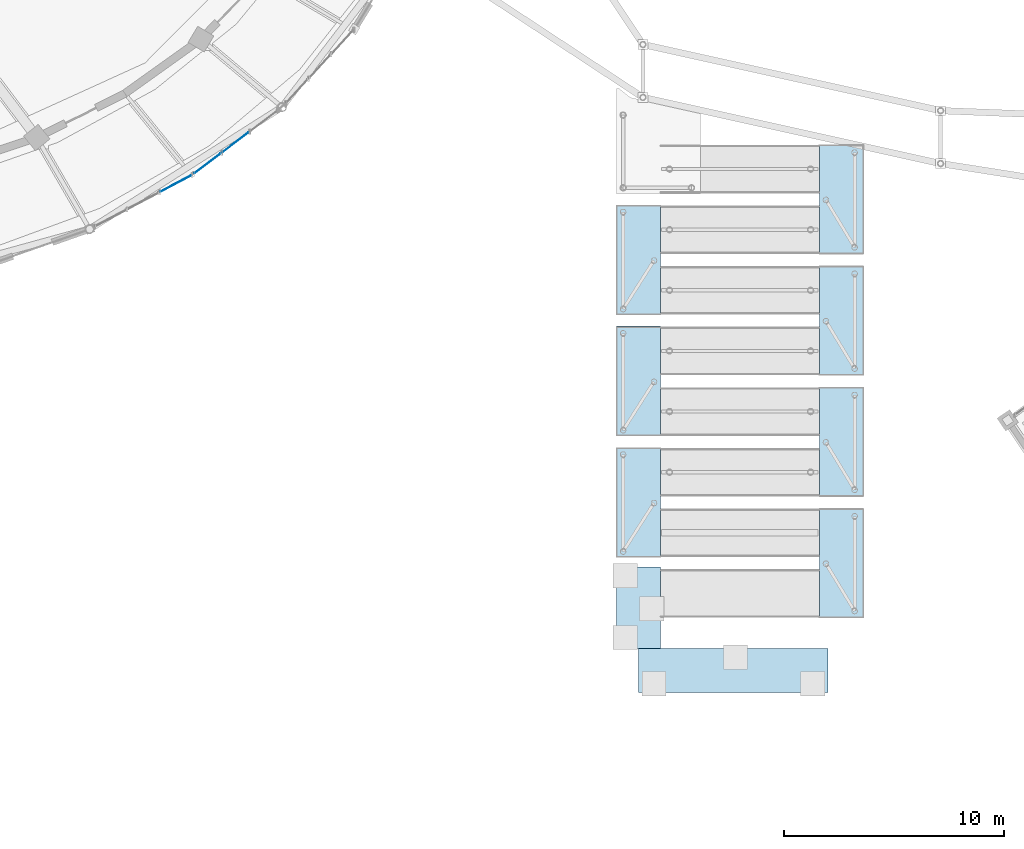
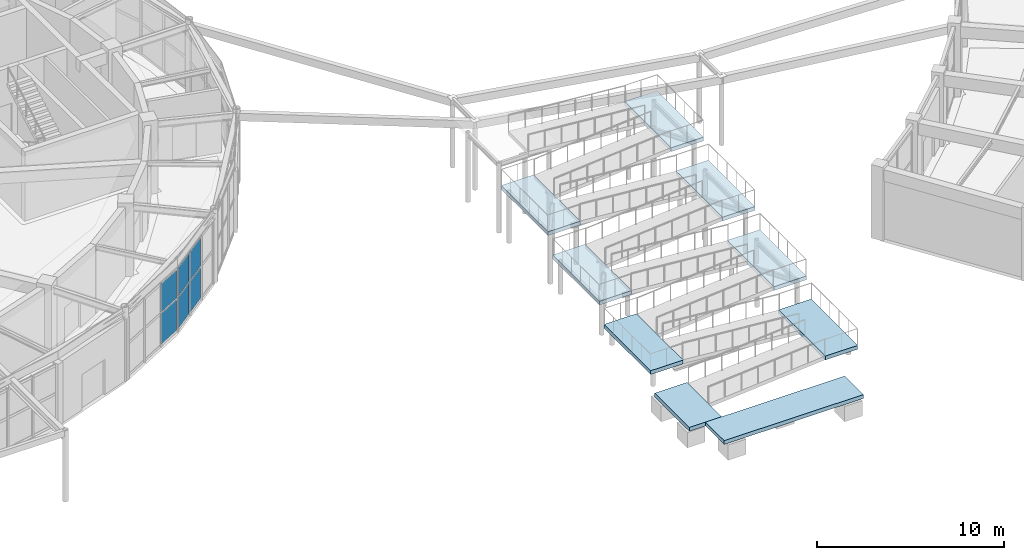
# One storey, part 79 of 108: 9 slabs, 6 plates, 3 elements without a shape of their own.
"""IFC4 building model written with IfcOpenShell, lengths in metres."""

from ifc_helpers import new_model, si_unit, direction, frame, origin, origin_2d, place, context, subcontext, project, spatial, polyline, rectangle, outline, extrude, material, layer, layer_set, type_object, element, aggregate, save


model = new_model("IFC4")

# Units and contexts
model_context = context("Model", 3, precision=1e-05, world=origin(), true_north=direction((0.0, 1.0)))
body_context = subcontext(model_context, "Body", "Model", "MODEL_VIEW")
ifc_project = project(units=[si_unit("LENGTHUNIT", "METRE"), si_unit("AREAUNIT", "SQUARE_METRE"), si_unit("VOLUMEUNIT", "CUBIC_METRE"), si_unit("PLANEANGLEUNIT", "RADIAN"), si_unit("MASSUNIT", "GRAM", prefix="KILO")], contexts=[model_context])

# Site, building, storey
site_placement = place(None, origin())
site = spatial("IfcSite", under=ifc_project, at=site_placement, CompositionType="ELEMENT")
building_placement = place(site_placement, origin())
building = spatial("IfcBuilding", under=site, at=building_placement, Name="Tarnveldt Headland Concert Hall", CompositionType="ELEMENT")
storey_placement = place(building_placement, origin())
storey = spatial("IfcBuildingStorey", under=building, at=storey_placement, Name="L00", CompositionType="ELEMENT", Elevation=0.0)

# Curtain wall, plates
ifc_material_1 = material(Name="Marine-anodised aluminium EN AW-6063-T6", Category="aluminium")
curtain_wall_type = type_object("IfcCurtainWallType", Name="CW-F1", PredefinedType="NOTDEFINED", material=ifc_material_1)
curtain_wall_1_placement = place(storey_placement, origin())
curtain_wall_1 = element("IfcCurtainWall", 1, at=curtain_wall_1_placement, inside=storey, type_object=curtain_wall_type, Name="Curtain wall CW-L00-022", PredefinedType="NOTDEFINED")
ifc_material_2 = material(Name="Acoustic laminated low-iron double glazing", Category="glass")
ifc_layer_1 = layer(ifc_material_2, 0.031982421875, Name="Acoustic laminated low-iron double glazing", Category="glass")
ifc_layer_set_1 = layer_set([ifc_layer_1], Name="Acoustic laminated low-iron double glazing")
plate_type = type_object("IfcPlateType", Name="PN-F1", PredefinedType="CURTAIN_PANEL", material=ifc_layer_set_1)
plate_1_placement = place(storey_placement, frame((103.80908203125, 35.09228515625, 0.097412109375), z_axis=(0.0, 0.0, 1.0), x_axis=(0.883781963382, 0.467898964735, 0.0)))
plate_1 = element("IfcPlate", 2, at=plate_1_placement, type_object=plate_type, Name="Glazed panel CW-L00-022-3-1", PredefinedType="CURTAIN_PANEL", context=body_context, shape_type="SweptSolid", body=[
    extrude(rectangle(XDim=1.552978515625, YDim=0.031982421875, at=origin_2d()), origin(), (0.0, 0.0, 1.0), 2.0078125),
])
plate_2_placement = place(storey_placement, frame((103.80908203125, 35.09228515625, 2.2001953125), z_axis=(0.0, 0.0, 1.0), x_axis=(0.883781963382, 0.467898964735, 0.0)))
plate_2 = element("IfcPlate", 3, at=plate_2_placement, type_object=plate_type, Name="Glazed panel CW-L00-022-3-2", PredefinedType="CURTAIN_PANEL", context=body_context, shape_type="SweptSolid", body=[
    extrude(rectangle(XDim=1.552978515625, YDim=0.031982421875, at=origin_2d()), origin(), (0.0, 0.0, 1.0), 1.84228515625),
])
aggregate(curtain_wall_1, [plate_1, plate_2])

curtain_wall_2_placement = place(storey_placement, origin())
curtain_wall_2 = element("IfcCurtainWall", 4, at=curtain_wall_2_placement, inside=storey, type_object=curtain_wall_type, Name="Curtain wall CW-L00-023", PredefinedType="NOTDEFINED")
plate_3_placement = place(storey_placement, frame((105.25146484375, 36.007080078125, 0.097412109375), z_axis=(0.0, 0.0, 1.0), x_axis=(0.797657618631, 0.603110539984, 0.0)))
plate_3 = element("IfcPlate", 5, at=plate_3_placement, type_object=plate_type, Name="Glazed panel CW-L00-023-1-1", PredefinedType="CURTAIN_PANEL", context=body_context, shape_type="SweptSolid", body=[
    extrude(rectangle(XDim=1.47607421875, YDim=0.031982421875, at=origin_2d()), origin(), (0.0, 0.0, 1.0), 2.0078125),
])
plate_4_placement = place(storey_placement, frame((105.25146484375, 36.007080078125, 2.2001953125), z_axis=(0.0, 0.0, 1.0), x_axis=(0.797657618631, 0.603110539984, 0.0)))
plate_4 = element("IfcPlate", 6, at=plate_4_placement, type_object=plate_type, Name="Glazed panel CW-L00-023-1-2", PredefinedType="CURTAIN_PANEL", context=body_context, shape_type="SweptSolid", body=[
    extrude(rectangle(XDim=1.47607421875, YDim=0.031982421875, at=origin_2d()), origin(), (0.0, 0.0, 1.0), 1.84228515625),
])
plate_5_placement = place(storey_placement, frame((106.523681640625, 36.96923828125, 0.097412109375), z_axis=(0.0, 0.0, 1.0), x_axis=(0.797657618631, 0.603110539984, 0.0)))
plate_5 = element("IfcPlate", 7, at=plate_5_placement, type_object=plate_type, Name="Glazed panel CW-L00-023-2-1", PredefinedType="CURTAIN_PANEL", context=body_context, shape_type="SweptSolid", body=[
    extrude(rectangle(XDim=1.47607421875, YDim=0.031982421875, at=origin_2d()), origin(), (0.0, 0.0, 1.0), 2.0078125),
])
plate_6_placement = place(storey_placement, frame((106.523681640625, 36.96923828125, 2.2001953125), z_axis=(0.0, 0.0, 1.0), x_axis=(0.797657618631, 0.603110539984, 0.0)))
plate_6 = element("IfcPlate", 8, at=plate_6_placement, type_object=plate_type, Name="Glazed panel CW-L00-023-2-2", PredefinedType="CURTAIN_PANEL", context=body_context, shape_type="SweptSolid", body=[
    extrude(rectangle(XDim=1.47607421875, YDim=0.031982421875, at=origin_2d()), origin(), (0.0, 0.0, 1.0), 1.84228515625),
])
aggregate(curtain_wall_2, [plate_3, plate_4, plate_5, plate_6])

# Ramp, slabs
ifc_material_3 = material(Name="Concrete C40/50", Category="concrete")
ramp_type = type_object("IfcRampType", Name="RM-BRG240", PredefinedType="HALF_TURN_RAMP", material=ifc_material_3)
ramp_placement = place(storey_placement, origin())
ramp = element("IfcRamp", 9, at=ramp_placement, inside=storey, type_object=ramp_type, Name="Forecourt 1:12 accessible promenade ramp", PredefinedType="HALF_TURN_RAMP")
ifc_layer_2 = layer(ifc_material_3, 0.25, Name="Concrete C40/50", Category="concrete")
ifc_layer_set_2 = layer_set([ifc_layer_2], Name="Concrete C40/50")
slab_type = type_object("IfcSlabType", Name="SL-LND250", PredefinedType="LANDING", material=ifc_layer_set_2)
slab_1_placement = place(storey_placement, frame((0.0, 0.0, -0.25)))
slab_1 = element("IfcSlab", 10, at=slab_1_placement, type_object=slab_type, Name="Forecourt ramp ground arrival landing", PredefinedType="LANDING", context=body_context, shape_type="SweptSolid", body=[
    extrude(outline(polyline([(124.800048828125, 12.0), (133.39990234375, 12.0), (133.39990234375, 14.0), (124.800048828125, 14.0), (124.800048828125, 12.0)])), origin(), (0.0, 0.0, 1.0), 0.25),
])
slab_2_placement = place(storey_placement, frame((0.0, 0.0, -0.25)))
slab_2 = element("IfcSlab", 11, at=slab_2_placement, type_object=slab_type, Name="Forecourt ramp start landing", PredefinedType="LANDING", context=body_context, shape_type="SweptSolid", body=[
    extrude(outline(polyline([(123.800048828125, 14.0), (125.800048828125, 14.0), (125.800048828125, 17.699951171875), (123.800048828125, 17.699951171875), (123.800048828125, 14.0)])), origin(), (0.0, 0.0, 1.0), 0.25),
])
slab_3_placement = place(storey_placement, frame((0.0, 0.0, 0.35009765625)))
slab_3 = element("IfcSlab", 12, at=slab_3_placement, type_object=slab_type, Name="Forecourt ramp turn landing 1", PredefinedType="LANDING", context=body_context, shape_type="SweptSolid", body=[
    extrude(outline(polyline([(133.0, 15.3798828125), (135.0, 15.3798828125), (135.0, 20.3701171875), (133.0, 20.3701171875), (133.0, 15.3798828125)])), origin(), (0.0, 0.0, 1.0), 0.25),
])
slab_4_placement = place(storey_placement, frame((0.0, 0.0, 0.949951171875)))
slab_4 = element("IfcSlab", 13, at=slab_4_placement, type_object=slab_type, Name="Forecourt ramp turn landing 2", PredefinedType="LANDING", context=body_context, shape_type="SweptSolid", body=[
    extrude(outline(polyline([(123.800048828125, 18.1298828125), (125.800048828125, 18.1298828125), (125.800048828125, 23.1201171875), (123.800048828125, 23.1201171875), (123.800048828125, 18.1298828125)])), origin(), (0.0, 0.0, 1.0), 0.25),
])
slab_5_placement = place(storey_placement, frame((0.0, 0.0, 1.550048828125)))
slab_5 = element("IfcSlab", 14, at=slab_5_placement, type_object=slab_type, Name="Forecourt ramp turn landing 3", PredefinedType="LANDING", context=body_context, shape_type="SweptSolid", body=[
    extrude(outline(polyline([(133.0, 20.8798828125), (135.0, 20.8798828125), (135.0, 25.8701171875), (133.0, 25.8701171875), (133.0, 20.8798828125)])), origin(), (0.0, 0.0, 1.0), 0.25),
])
slab_6_placement = place(storey_placement, frame((0.0, 0.0, 2.14990234375)))
slab_6 = element("IfcSlab", 15, at=slab_6_placement, type_object=slab_type, Name="Forecourt ramp turn landing 4", PredefinedType="LANDING", context=body_context, shape_type="SweptSolid", body=[
    extrude(outline(polyline([(123.800048828125, 23.6298828125), (125.800048828125, 23.6298828125), (125.800048828125, 28.6201171875), (123.800048828125, 28.6201171875), (123.800048828125, 23.6298828125)])), origin(), (0.0, 0.0, 1.0), 0.25),
])
slab_7_placement = place(storey_placement, frame((0.0, 0.0, 2.75)))
slab_7 = element("IfcSlab", 16, at=slab_7_placement, type_object=slab_type, Name="Forecourt ramp turn landing 5", PredefinedType="LANDING", context=body_context, shape_type="SweptSolid", body=[
    extrude(outline(polyline([(133.0, 26.3798828125), (135.0, 26.3798828125), (135.0, 31.3701171875), (133.0, 31.3701171875), (133.0, 26.3798828125)])), origin(), (0.0, 0.0, 1.0), 0.25),
])
slab_8_placement = place(storey_placement, frame((0.0, 0.0, 3.35009765625)))
slab_8 = element("IfcSlab", 17, at=slab_8_placement, type_object=slab_type, Name="Forecourt ramp turn landing 6", PredefinedType="LANDING", context=body_context, shape_type="SweptSolid", body=[
    extrude(outline(polyline([(123.800048828125, 29.1298828125), (125.800048828125, 29.1298828125), (125.800048828125, 34.1201171875), (123.800048828125, 34.1201171875), (123.800048828125, 29.1298828125)])), origin(), (0.0, 0.0, 1.0), 0.25),
])
slab_9_placement = place(storey_placement, frame((0.0, 0.0, 3.949951171875)))
slab_9 = element("IfcSlab", 18, at=slab_9_placement, type_object=slab_type, Name="Forecourt ramp turn landing 7", PredefinedType="LANDING", context=body_context, shape_type="SweptSolid", body=[
    extrude(outline(polyline([(133.0, 31.8798828125), (135.0, 31.8798828125), (135.0, 36.8701171875), (133.0, 36.8701171875), (133.0, 31.8798828125)])), origin(), (0.0, 0.0, 1.0), 0.25),
])
aggregate(ramp, [slab_1, slab_2, slab_3, slab_4, slab_5, slab_6, slab_7, slab_8, slab_9])

save(model, "model.ifc")
